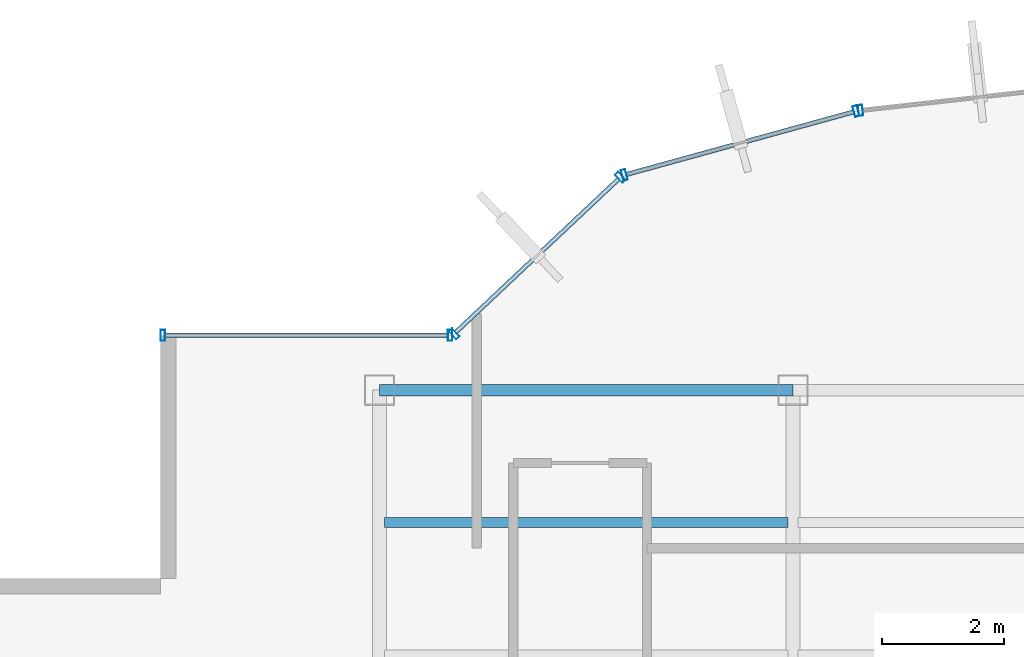
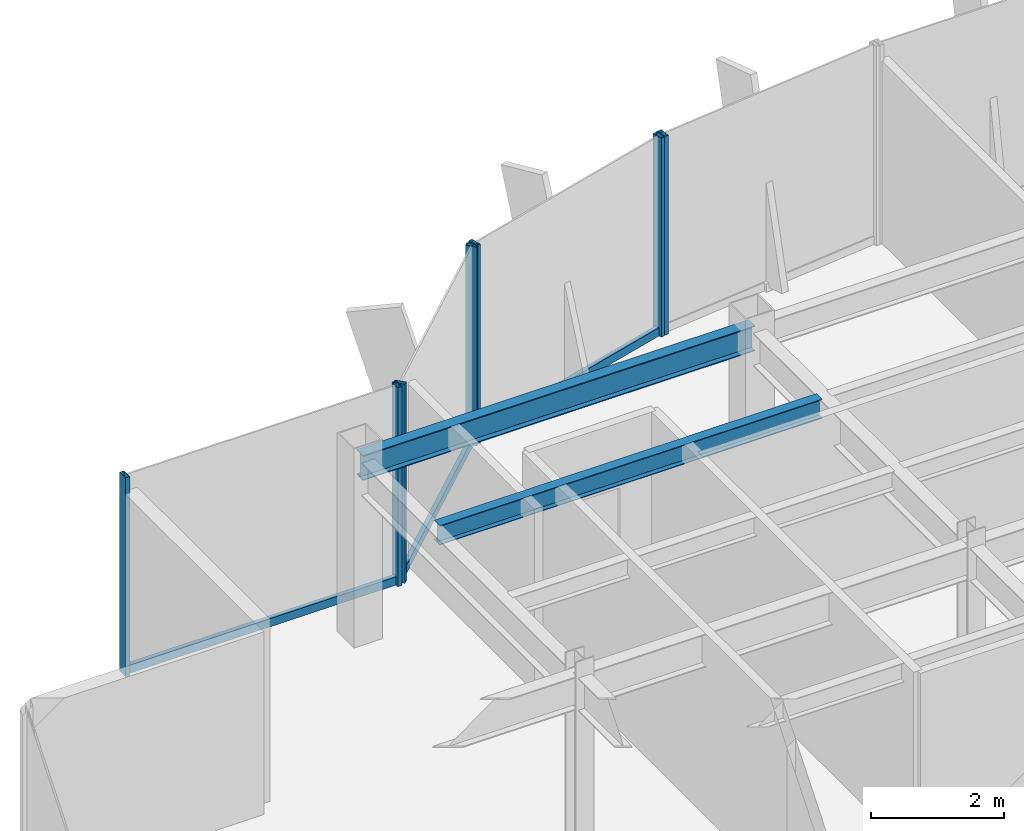
# One storey, part 12 of 22: 10 members, 2 beams, 4 elements without a shape of their own.
"""IFC4 building model written with IfcOpenShell, lengths in metres."""

from ifc_helpers import new_model, si_unit, derived_unit, direction, frame, origin, origin_2d, place, context, subcontext, project, spatial, hollow_rectangle, i_section, extrude, source, transform, mapped, material, material_profile, profile_set, type_object, element, aggregate, save


model = new_model("IFC4")

# Units and contexts
model_context = context("Model", 3, precision=1e-05, world=origin(), true_north=direction((0.0, 1.0)))
body_context = subcontext(model_context, "Body", "Model", "MODEL_VIEW")
ifc_project = project(units=[si_unit("LENGTHUNIT", "METRE"), si_unit("AREAUNIT", "SQUARE_METRE"), si_unit("VOLUMEUNIT", "CUBIC_METRE"), si_unit("PLANEANGLEUNIT", "RADIAN"), si_unit("MASSUNIT", "GRAM", prefix="KILO"), derived_unit("THERMALTRANSMITTANCEUNIT", [(si_unit("POWERUNIT", "WATT"), 1), (si_unit("LENGTHUNIT", "METRE"), -2), (si_unit("THERMODYNAMICTEMPERATUREUNIT", "KELVIN"), -1)])], contexts=[model_context])

# Site, building, storey
site_placement = place(None, origin())
site = spatial("IfcSite", under=ifc_project, at=site_placement, CompositionType="ELEMENT")
building_placement = place(site_placement, origin())
building = spatial("IfcBuilding", under=site, at=building_placement, Name="Skarnbrae Concourse Arena and Tower", CompositionType="ELEMENT")
storey_placement = place(building_placement, frame((0.0, 0.0, 232.39990234375)))
storey = spatial("IfcBuildingStorey", under=building, at=storey_placement, Name="L60", CompositionType="ELEMENT", Elevation=232.39990234375)

# Beams
ifc_material_1 = material(Name="Steel CSA G40.21 350W", Category="steel")
ifc_material_profile_1 = material_profile(ifc_material_1, i_section(OverallWidth=0.19091796875, OverallDepth=0.4599609375, WebThickness=0.010009765625, FlangeThickness=0.01611328125, at=origin_2d()), Name="W460X82")
ifc_profile_set_1 = profile_set([ifc_material_profile_1], Name="Steel CSA G40.21 350W")
beam_type_1 = type_object("IfcBeamType", Name="BM-SPAN-W460X82", PredefinedType="SPANDREL", material=ifc_profile_set_1)
shared_shape_1 = source(origin(), body_context, "Body", "SweptSolid", [
    extrude(i_section(OverallWidth=0.19091796875, OverallDepth=0.4599609375, WebThickness=0.010009765625, FlangeThickness=0.01611328125, at=origin_2d()), origin(), (0.0, 0.0, 1.0), 6.7998046875),
])
beam_1_placement = place(storey_placement, frame((7.60009765625, 34.39990234375, 3.1201171875), z_axis=(1.0, 0.0, 0.0), x_axis=(0.0, 1.0, 0.0)))
element("IfcBeam", 1, at=beam_1_placement, inside=storey, type_object=beam_type_1, Name="L60 Perimeter spandrel Y34.4-1", PredefinedType="SPANDREL", context=body_context, shape_type="MappedRepresentation", body=[
    mapped(shared_shape_1, transform((0.0, 0.0, 0.0))),
])
ifc_material_profile_2 = material_profile(ifc_material_1, i_section(OverallWidth=0.1708984375, OverallDepth=0.35498046875, WebThickness=0.007080078125, FlangeThickness=0.01171875, at=origin_2d()), Name="W360X51")
ifc_profile_set_2 = profile_set([ifc_material_profile_2], Name="Steel CSA G40.21 350W")
beam_type_2 = type_object("IfcBeamType", Name="BM-JOIST-W360X51", PredefinedType="JOIST", material=ifc_profile_set_2)
shared_shape_2 = source(origin(), body_context, "Body", "SweptSolid", [
    extrude(i_section(OverallWidth=0.1708984375, OverallDepth=0.35498046875, WebThickness=0.007080078125, FlangeThickness=0.01171875, at=origin_2d()), origin(), (0.0, 0.0, 1.0), 6.64013671875),
])
beam_2_placement = place(storey_placement, frame((7.679931640625, 32.221923828125, 3.172607421875), z_axis=(1.0, 0.0, 0.0), x_axis=(0.0, 1.0, 0.0)))
element("IfcBeam", 2, at=beam_2_placement, inside=storey, type_object=beam_type_2, Name="L60 Secondary floor joist 3.2.1", PredefinedType="JOIST", context=body_context, shape_type="MappedRepresentation", body=[
    mapped(shared_shape_2, transform((0.0, 0.0, 0.0))),
])

# Curtain wall, member
ifc_material_2 = material(Name="Bronze anodised aluminium 6063-T6", Category="aluminium")
curtain_wall_type = type_object("IfcCurtainWallType", Name="CW-SYS-05-HIGHZONE", PredefinedType="USERDEFINED", material=ifc_material_2)
curtain_wall_1_placement = place(storey_placement, origin())
curtain_wall_1 = element("IfcCurtainWall", 3, at=curtain_wall_1_placement, inside=storey, type_object=curtain_wall_type, Name="L60 Unitised curtain wall CW-L60-E15", ObjectType="UNITISED CURTAIN WALL", PredefinedType="USERDEFINED")
ifc_material_profile_3 = material_profile(ifc_material_2, hollow_rectangle(XDim=0.074951171875, YDim=0.14990234375, WallThickness=0.00390625, at=origin_2d()), Name="ALU-TRAN-75X150")
ifc_profile_set_3 = profile_set([ifc_material_profile_3], Name="Bronze anodised aluminium 6063-T6")
member_type_1 = type_object("IfcMemberType", Name="CWT-CW-05", PredefinedType="USERDEFINED", material=ifc_profile_set_3)
shared_shape_3 = source(origin(), body_context, "Body", "SweptSolid", [
    extrude(hollow_rectangle(XDim=0.074951171875, YDim=0.14990234375, WallThickness=0.00390625, at=origin_2d()), origin(), (0.0, 0.0, 1.0), 4.650146484375),
])
member_1_placement = place(storey_placement, frame((8.72509765625, 35.300048828125, 0.0751953125), z_axis=(-1.0, 0.0, 0.0), x_axis=(0.0, -1.0, 0.0)))
member_1 = element("IfcMember", 4, at=member_1_placement, type_object=member_type_1, Name="CW-L60-E15 Transom 1", ObjectType="TRANSOM", PredefinedType="USERDEFINED", context=body_context, shape_type="MappedRepresentation", body=[
    mapped(shared_shape_3, transform((0.0, 0.0, 0.0))),
])

curtain_wall_2_placement = place(storey_placement, origin())
curtain_wall_2 = element("IfcCurtainWall", 5, at=curtain_wall_2_placement, inside=storey, type_object=curtain_wall_type, Name="L60 Unitised curtain wall CW-L60-E14", ObjectType="UNITISED CURTAIN WALL", PredefinedType="USERDEFINED")
shared_shape_4 = source(origin(), body_context, "Body", "SweptSolid", [
    extrude(hollow_rectangle(XDim=0.074951171875, YDim=0.14990234375, WallThickness=0.00390625, at=origin_2d()), origin(), (0.0, 0.0, 1.0), 3.68212890625),
])
member_2_placement = place(storey_placement, frame((11.53564453125, 37.875244140625, 0.0751953125), z_axis=(-0.728133808476, -0.685435012933, 0.0), x_axis=(0.685435012933, -0.728133808476, 0.0)))
member_2 = element("IfcMember", 6, at=member_2_placement, type_object=member_type_1, Name="CW-L60-E14 Transom 1", ObjectType="TRANSOM", PredefinedType="USERDEFINED", context=body_context, shape_type="MappedRepresentation", body=[
    mapped(shared_shape_4, transform((0.0, 0.0, 0.0))),
])

curtain_wall_3_placement = place(storey_placement, origin())
curtain_wall_3 = element("IfcCurtainWall", 7, at=curtain_wall_3_placement, inside=storey, type_object=curtain_wall_type, Name="L60 Unitised curtain wall CW-L60-E13", ObjectType="UNITISED CURTAIN WALL", PredefinedType="USERDEFINED")
shared_shape_5 = source(origin(), body_context, "Body", "SweptSolid", [
    extrude(hollow_rectangle(XDim=0.074951171875, YDim=0.14990234375, WallThickness=0.00390625, at=origin_2d()), origin(), (0.0, 0.0, 1.0), 3.878662109375),
])
member_3_placement = place(storey_placement, frame((15.40185546875, 38.977294921875, 0.0751953125), z_axis=(-0.964042677713, -0.265747465742, 0.0), x_axis=(0.265747465742, -0.964042677713, 0.0)))
member_3 = element("IfcMember", 8, at=member_3_placement, type_object=member_type_1, Name="CW-L60-E13 Transom 1", ObjectType="TRANSOM", PredefinedType="USERDEFINED", context=body_context, shape_type="MappedRepresentation", body=[
    mapped(shared_shape_5, transform((0.0, 0.0, 0.0))),
])

curtain_wall_4_placement = place(storey_placement, origin())
curtain_wall_4 = element("IfcCurtainWall", 9, at=curtain_wall_4_placement, inside=storey, type_object=curtain_wall_type, Name="L60 Unitised curtain wall CW-L60-E12", ObjectType="UNITISED CURTAIN WALL", PredefinedType="USERDEFINED")
ifc_material_profile_4 = material_profile(ifc_material_2, hollow_rectangle(XDim=0.074951171875, YDim=0.179931640625, WallThickness=0.00390625, at=origin_2d()), Name="ALU-MULL-75X180")
ifc_profile_set_4 = profile_set([ifc_material_profile_4], Name="Bronze anodised aluminium 6063-T6")
member_type_2 = type_object("IfcMemberType", Name="CWM-CW-05", PredefinedType="MULLION", material=ifc_profile_set_4)
shared_shape_6 = source(origin(), body_context, "Body", "SweptSolid", [
    extrude(hollow_rectangle(XDim=0.074951171875, YDim=0.179931640625, WallThickness=0.00390625, at=origin_2d()), origin(), (0.0, 0.0, 1.0), 3.650146484375),
])
member_4_placement = place(storey_placement, frame((15.511474609375, 39.001220703125, 0.0), z_axis=(0.0, 0.0, 1.0), x_axis=(-0.993768891873, -0.111460259941, 0.0)))
member_4 = element("IfcMember", 10, at=member_4_placement, type_object=member_type_2, Name="CW-L60-E12 Mullion 2", PredefinedType="MULLION", context=body_context, shape_type="MappedRepresentation", body=[
    mapped(shared_shape_6, transform((0.0, 0.0, 0.0))),
])
aggregate(curtain_wall_4, [member_4])

# Member
member_5_placement = place(storey_placement, frame((15.43798828125, 38.987060546875, 0.0), z_axis=(0.0, 0.0, 1.0), x_axis=(-0.964057388766, -0.265694093207, 0.0)))
member_5 = element("IfcMember", 11, at=member_5_placement, type_object=member_type_2, Name="CW-L60-E13 Mullion 1", PredefinedType="MULLION", context=body_context, shape_type="MappedRepresentation", body=[
    mapped(shared_shape_6, transform((0.0, 0.0, 0.0))),
])

member_6_placement = place(storey_placement, frame((11.62646484375, 37.936767578125, 0.0), z_axis=(0.0, 0.0, 1.0), x_axis=(-0.964057388766, -0.265694093207, 0.0)))
member_6 = element("IfcMember", 12, at=member_6_placement, type_object=member_type_2, Name="CW-L60-E13 Mullion 2", PredefinedType="MULLION", context=body_context, shape_type="MappedRepresentation", body=[
    mapped(shared_shape_6, transform((0.0, 0.0, 0.0))),
])

aggregate(curtain_wall_3, [member_5, member_6, member_3])

member_7_placement = place(storey_placement, frame((11.56298828125, 37.90087890625, 0.0), z_axis=(0.0, 0.0, 1.0), x_axis=(-0.728130555214, -0.685438468838, 0.0)))
member_7 = element("IfcMember", 13, at=member_7_placement, type_object=member_type_2, Name="CW-L60-E14 Mullion 1", PredefinedType="MULLION", context=body_context, shape_type="MappedRepresentation", body=[
    mapped(shared_shape_6, transform((0.0, 0.0, 0.0))),
])

member_8_placement = place(storey_placement, frame((8.827392578125, 35.32568359375, 0.0), z_axis=(0.0, 0.0, 1.0), x_axis=(-0.728130555214, -0.685438468838, 0.0)))
member_8 = element("IfcMember", 14, at=member_8_placement, type_object=member_type_2, Name="CW-L60-E14 Mullion 2", PredefinedType="MULLION", context=body_context, shape_type="MappedRepresentation", body=[
    mapped(shared_shape_6, transform((0.0, 0.0, 0.0))),
])

aggregate(curtain_wall_2, [member_7, member_8, member_2])

member_9_placement = place(storey_placement, frame((8.762451171875, 35.300048828125, 0.0), z_axis=(0.0, 0.0, 1.0), x_axis=(-1.0, 0.0, 0.0)))
member_9 = element("IfcMember", 15, at=member_9_placement, type_object=member_type_2, Name="CW-L60-E15 Mullion 1", PredefinedType="MULLION", context=body_context, shape_type="MappedRepresentation", body=[
    mapped(shared_shape_6, transform((0.0, 0.0, 0.0))),
])

member_10_placement = place(storey_placement, frame((4.03759765625, 35.300048828125, 0.0), z_axis=(0.0, 0.0, 1.0), x_axis=(-1.0, 0.0, 0.0)))
member_10 = element("IfcMember", 16, at=member_10_placement, type_object=member_type_2, Name="CW-L60-E15 Mullion 2", PredefinedType="MULLION", context=body_context, shape_type="MappedRepresentation", body=[
    mapped(shared_shape_6, transform((0.0, 0.0, 0.0))),
])

aggregate(curtain_wall_1, [member_9, member_10, member_1])

save(model, "model.ifc")
